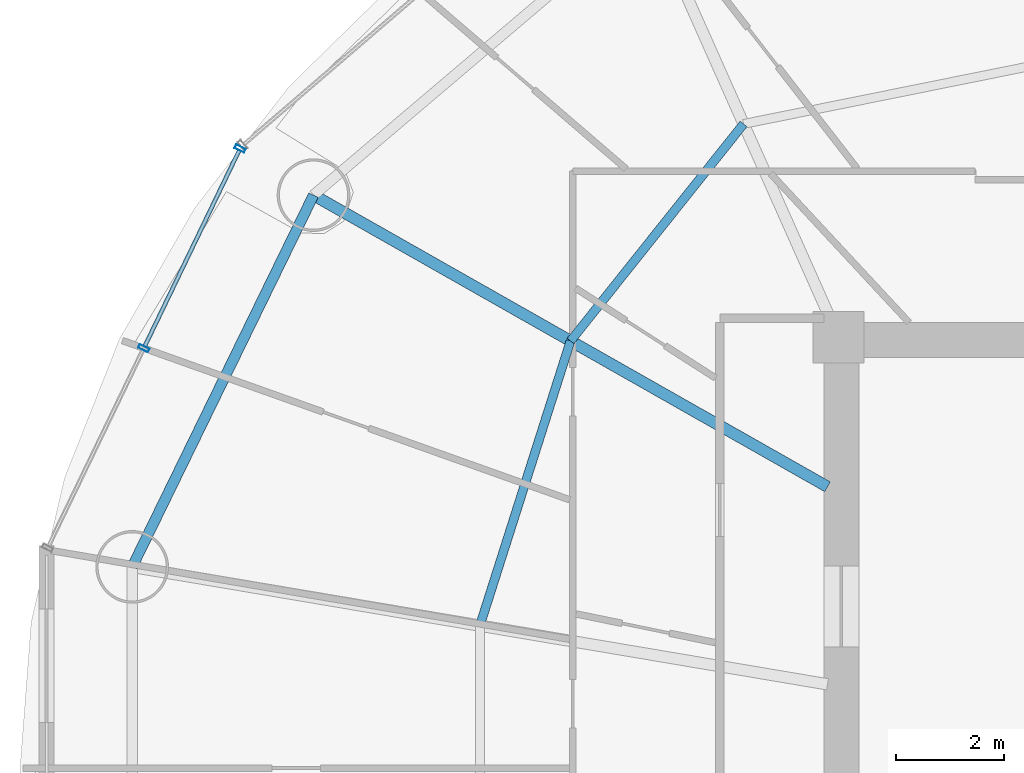
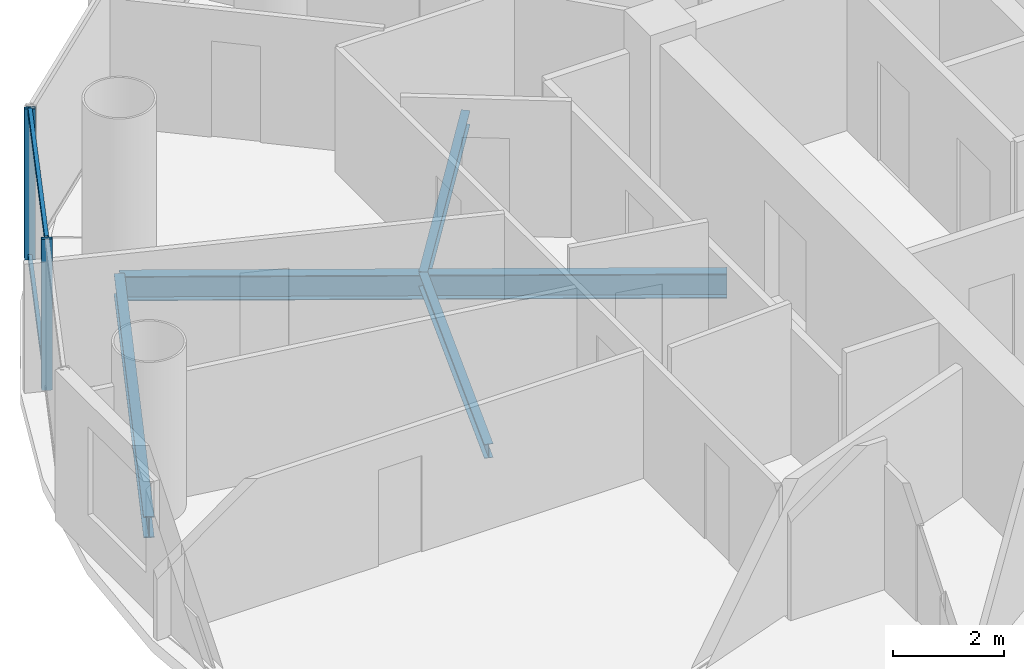
# One storey, part 7 of 27: 4 beams, 4 members, 1 element without a shape of its own.
"""IFC4 building model written with IfcOpenShell, lengths in metres."""

from ifc_helpers import new_model, si_unit, direction, frame, origin, origin_2d, place, context, subcontext, project, spatial, hollow_rectangle, i_section, extrude, source, transform, mapped, material, material_profile, profile_set, type_object, element, aggregate, save


model = new_model("IFC4")

# Units and contexts
model_context = context("Model", 3, precision=1e-05, world=origin(), true_north=direction((-0.2419218956, 0.970295726276)))
body_context = subcontext(model_context, "Body", "Model", "MODEL_VIEW")
ifc_project = project(units=[si_unit("LENGTHUNIT", "METRE"), si_unit("AREAUNIT", "SQUARE_METRE"), si_unit("VOLUMEUNIT", "CUBIC_METRE"), si_unit("PLANEANGLEUNIT", "RADIAN"), si_unit("MASSUNIT", "GRAM", prefix="KILO")], contexts=[model_context])

# Site, building, storey
site_placement = place(None, origin())
site = spatial("IfcSite", under=ifc_project, at=site_placement, CompositionType="ELEMENT")
building_placement = place(site_placement, origin())
building = spatial("IfcBuilding", under=site, at=building_placement, Name="Cobrevalo Terracotta Tower", CompositionType="ELEMENT")
storey_placement = place(building_placement, frame((0.0, 0.0, 146.199951171875)))
storey = spatial("IfcBuildingStorey", under=building, at=storey_placement, Name="L38", CompositionType="ELEMENT", Elevation=146.199951171875)

# Beams
ifc_material_1 = material(Name="Steel S355", Category="steel")
ifc_material_profile_1 = material_profile(ifc_material_1, i_section(OverallWidth=0.2109375, OverallDepth=0.5390625, WebThickness=0.01171875, FlangeThickness=0.018798828125, at=origin_2d()), Name="W 530x109")
ifc_profile_set_1 = profile_set([ifc_material_profile_1], Name="Steel S355")
beam_type_1 = type_object("IfcBeamType", Name="Structural Beam W 530x109 (Steel S355)", PredefinedType="BEAM", material=ifc_profile_set_1)
beam_1_placement = place(storey_placement, frame((19.250244140625, 37.439208984375, -0.53955078125), z_axis=(0.869734177783, -0.493520475762, 0.0), x_axis=(0.493520475762, 0.869734177783, 0.0)))
element("IfcBeam", 1, at=beam_1_placement, inside=storey, type_object=beam_type_1, Name="L38 radial floor girder 07", PredefinedType="BEAM", context=body_context, shape_type="SweptSolid", body=[
    extrude(i_section(OverallWidth=0.2109375, OverallDepth=0.5390625, WebThickness=0.01171875, FlangeThickness=0.018798828125, at=origin_2d()), origin(), (0.0, 0.0, 1.0), 10.974365234375),
])
ifc_material_profile_2 = material_profile(ifc_material_1, i_section(OverallWidth=0.1650390625, OverallDepth=0.31005859375, WebThickness=0.005859375, FlangeThickness=0.009765625, at=origin_2d()), Name="W 310x38.7")
ifc_profile_set_2 = profile_set([ifc_material_profile_2], Name="Steel S355")
beam_type_2 = type_object("IfcBeamType", Name="Structural Joist W 310x38.7 (Steel S355)", PredefinedType="JOIST", material=ifc_profile_set_2)
beam_2_placement = place(storey_placement, frame((27.23583984375, 38.76123046875, -0.425048828125), z_axis=(-0.62340602772, -0.781898282773, 0.0), x_axis=(0.781898282773, -0.62340602772, 0.0)))
element("IfcBeam", 2, at=beam_2_placement, inside=storey, type_object=beam_type_2, Name="L38 circumferential secondary floor joist 06", PredefinedType="JOIST", context=body_context, shape_type="SweptSolid", body=[
    extrude(i_section(OverallWidth=0.1650390625, OverallDepth=0.31005859375, WebThickness=0.005859375, FlangeThickness=0.009765625, at=origin_2d()), origin(), (0.0, 0.0, 1.0), 5.154052734375),
])
beam_3_placement = place(storey_placement, frame((24.022705078125, 34.731201171875, -0.425048828125), z_axis=(-0.303497928386, -0.952832098255, 0.0), x_axis=(0.952832098255, -0.303497928386, 0.0)))
element("IfcBeam", 3, at=beam_3_placement, inside=storey, type_object=beam_type_2, Name="L38 circumferential secondary floor joist 07", PredefinedType="JOIST", context=body_context, shape_type="SweptSolid", body=[
    extrude(i_section(OverallWidth=0.1650390625, OverallDepth=0.31005859375, WebThickness=0.005859375, FlangeThickness=0.009765625, at=origin_2d()), origin(), (0.0, 0.0, 1.0), 5.54736328125),
])
ifc_material_profile_3 = material_profile(ifc_material_1, i_section(OverallWidth=0.194091796875, OverallDepth=0.468994140625, WebThickness=0.011474609375, FlangeThickness=0.0205078125, at=origin_2d()), Name="W 460x106")
ifc_profile_set_3 = profile_set([ifc_material_profile_3], Name="Steel S355")
beam_type_3 = type_object("IfcBeamType", Name="Structural Spandrel W 460x106 (Steel S355)", PredefinedType="SPANDREL", material=ifc_profile_set_3)
beam_4_placement = place(storey_placement, frame((19.250244140625, 37.439208984375, -0.50439453125), z_axis=(-0.438367894028, -0.89879563277, 0.0), x_axis=(0.89879563277, -0.438367894028, 0.0)))
element("IfcBeam", 4, at=beam_4_placement, inside=storey, type_object=beam_type_3, Name="L38 perimeter ring spandrel 07", PredefinedType="SPANDREL", context=body_context, shape_type="SweptSolid", body=[
    extrude(i_section(OverallWidth=0.194091796875, OverallDepth=0.468994140625, WebThickness=0.011474609375, FlangeThickness=0.0205078125, at=origin_2d()), origin(), (0.0, 0.0, 1.0), 7.6806640625),
])

# Curtain wall, members
ifc_material_2 = material(Name="Anodized aluminium", Category="aluminium")
curtain_wall_type = type_object("IfcCurtainWallType", Name="Mid-tower high-wind unitised curtain wall CW-U2", PredefinedType="NOTDEFINED", material=ifc_material_2)
curtain_wall_placement = place(storey_placement, origin())
curtain_wall = element("IfcCurtainWall", 5, at=curtain_wall_placement, inside=storey, type_object=curtain_wall_type, Name="L38 curtain wall CW-L38-S07", PredefinedType="NOTDEFINED")
ifc_material_profile_4 = material_profile(ifc_material_2, hollow_rectangle(XDim=0.074951171875, YDim=0.199951171875, WallThickness=0.0048828125, at=origin_2d()), Name="CWM 75x200")
ifc_profile_set_4 = profile_set([ifc_material_profile_4], Name="Anodized aluminium")
member_type_1 = type_object("IfcMemberType", Name="Lower/mid tower unitised mullion 75x200", PredefinedType="MULLION", material=ifc_profile_set_4)
shared_shape_1 = source(origin(), body_context, "Body", "SweptSolid", [
    extrude(hollow_rectangle(XDim=0.074951171875, YDim=0.199951171875, WallThickness=0.0048828125, at=origin_2d()), origin(), (0.0, 0.0, 1.0), 3.330078125),
])
member_1_placement = place(storey_placement, frame((17.885986328125, 38.30322265625, 0.0), z_axis=(0.0, 0.0, 1.0), x_axis=(-0.434209440271, -0.900811945957, 0.0)))
member_1 = element("IfcMember", 6, at=member_1_placement, type_object=member_type_1, Name="CW-L38-S07 vertical mullion 01", PredefinedType="MULLION", context=body_context, shape_type="MappedRepresentation", body=[
    mapped(shared_shape_1, transform((0.0, 0.0, 0.0), scale=1.0)),
])
member_2_placement = place(storey_placement, frame((16.098876953125, 34.595703125, 0.0), z_axis=(0.0, 0.0, 1.0), x_axis=(-0.434209440271, -0.900811945957, 0.0)))
member_2 = element("IfcMember", 7, at=member_2_placement, type_object=member_type_1, Name="CW-L38-S07 vertical mullion 02", PredefinedType="MULLION", context=body_context, shape_type="MappedRepresentation", body=[
    mapped(shared_shape_1, transform((0.0, 0.0, 0.0), scale=1.0)),
])
ifc_material_profile_5 = material_profile(ifc_material_2, hollow_rectangle(XDim=0.074951171875, YDim=0.14990234375, WallThickness=0.00439453125, at=origin_2d()), Name="CWT 75x150")
ifc_profile_set_5 = profile_set([ifc_material_profile_5], Name="Anodized aluminium")
member_type_2 = type_object("IfcMemberType", Name="Tower unitised aluminium transom 75x150", PredefinedType="USERDEFINED", material=ifc_profile_set_5)
shared_shape_2 = source(origin(), body_context, "Body", "SweptSolid", [
    extrude(hollow_rectangle(XDim=0.074951171875, YDim=0.14990234375, WallThickness=0.00439453125, at=origin_2d()), origin(), (0.0, 0.0, 1.0), 4.035888671875),
])
member_3_placement = place(storey_placement, frame((17.86865234375, 38.26708984375, 0.050048828125), z_axis=(-0.434221176581, -0.900806288726, 0.0), x_axis=(0.900806288726, -0.434221176581, 0.0)))
member_3 = element("IfcMember", 8, at=member_3_placement, type_object=member_type_2, Name="CW-L38-S07 transom B01-T1", ObjectType="TRANSOM", PredefinedType="USERDEFINED", context=body_context, shape_type="MappedRepresentation", body=[
    mapped(shared_shape_2, transform((0.0, 0.0, 0.0), scale=1.0)),
])
member_4_placement = place(storey_placement, frame((17.86865234375, 38.26708984375, 3.280029296875), z_axis=(-0.434221176581, -0.900806288726, 0.0), x_axis=(0.900806288726, -0.434221176581, 0.0)))
member_4 = element("IfcMember", 9, at=member_4_placement, type_object=member_type_2, Name="CW-L38-S07 transom B01-T2", ObjectType="TRANSOM", PredefinedType="USERDEFINED", context=body_context, shape_type="MappedRepresentation", body=[
    mapped(shared_shape_2, transform((0.0, 0.0, 0.0), scale=1.0)),
])
aggregate(curtain_wall, [member_1, member_2, member_3, member_4])

save(model, "model.ifc")
